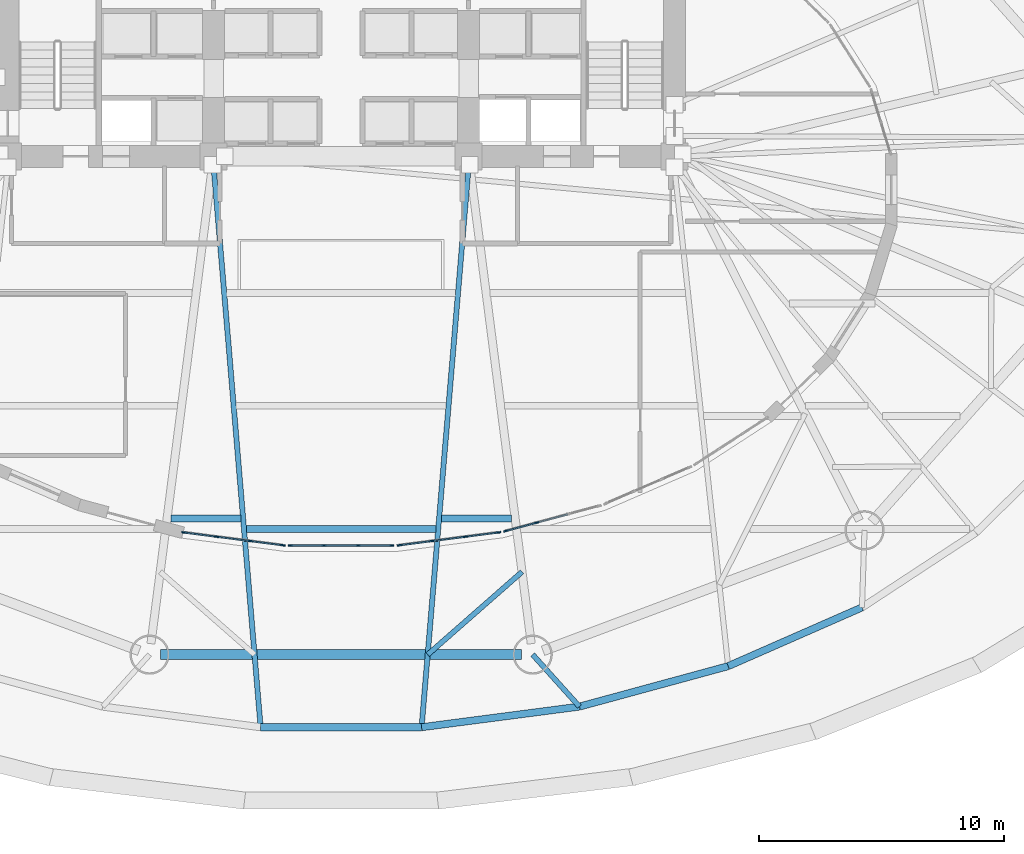
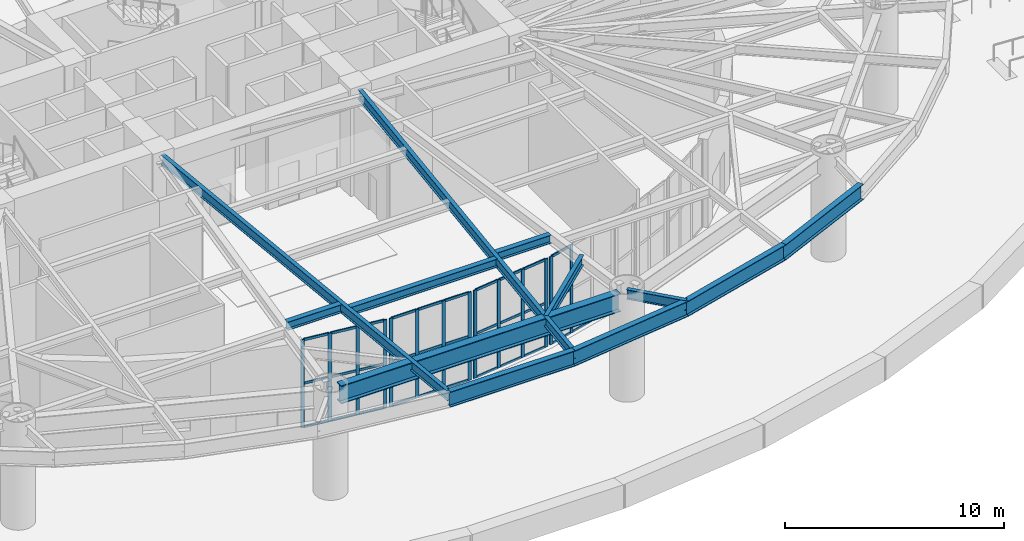
# One storey, part 4 of 21: 45 members, 12 beams, 4 elements without a shape of their own.
"""IFC4 building model written with IfcOpenShell, lengths in metres."""

from ifc_helpers import new_model, si_unit, direction, frame, origin, origin_2d, place, context, subcontext, project, spatial, rectangle, i_section, extrude, material, layer, layer_set, material_profile, profile_set, type_object, element, aggregate, save


model = new_model("IFC4")

# Units and contexts
model_context = context("Model", 3, precision=1e-05, world=origin(), true_north=direction((0.0, 1.0)))
body_context = subcontext(model_context, "Body", "Model", "MODEL_VIEW")
ifc_project = project(units=[si_unit("LENGTHUNIT", "METRE"), si_unit("AREAUNIT", "SQUARE_METRE"), si_unit("VOLUMEUNIT", "CUBIC_METRE"), si_unit("PLANEANGLEUNIT", "RADIAN"), si_unit("MASSUNIT", "GRAM", prefix="KILO")], contexts=[model_context])

# Site, building, storey
site_placement = place(None, origin())
site = spatial("IfcSite", under=ifc_project, at=site_placement, CompositionType="ELEMENT")
building_placement = place(site_placement, origin())
building = spatial("IfcBuilding", under=site, at=building_placement, Name="Keldmark Tower", CompositionType="ELEMENT")
storey_placement = place(building_placement, origin())
storey = spatial("IfcBuildingStorey", under=building, at=storey_placement, Name="L00", CompositionType="ELEMENT", Elevation=0.0)

# Beams
ifc_material_1 = material(Name="Steel ASTM A992 Grade 50", Category="steel")
ifc_material_profile_1 = material_profile(ifc_material_1, i_section(OverallWidth=0.280029296875, OverallDepth=0.462890625, WebThickness=0.0107421875, FlangeThickness=0.017333984375, at=origin_2d()), Name="W18X76")
ifc_profile_set_1 = profile_set([ifc_material_profile_1], Name="Steel ASTM A992 Grade 50")
beam_type_1 = type_object("IfcBeamType", Name="Composite Floor Joist W18X76", PredefinedType="JOIST", material=ifc_profile_set_1)
beam_1_placement = place(storey_placement, frame((-6.946044921875, -13.3798828125, 5.548583984375), z_axis=(1.0, 0.0, 0.0), x_axis=(0.0, 1.0, 0.0)))
element("IfcBeam", 1, at=beam_1_placement, inside=storey, type_object=beam_type_1, Name="L00 Composite Floor Joist J03", PredefinedType="JOIST", context=body_context, shape_type="SweptSolid", body=[
    extrude(i_section(OverallWidth=0.280029296875, OverallDepth=0.462890625, WebThickness=0.0107421875, FlangeThickness=0.017333984375, at=origin_2d()), origin(), (0.0, 0.0, 1.0), 2.851806640625),
])
beam_2_placement = place(storey_placement, frame((-3.8662109375, -13.800048828125, 5.548583984375), z_axis=(1.0, 0.0, 0.0), x_axis=(0.0, 1.0, 0.0)))
element("IfcBeam", 2, at=beam_2_placement, inside=storey, type_object=beam_type_1, Name="L00 Composite Floor Joist J04", PredefinedType="JOIST", context=body_context, shape_type="SweptSolid", body=[
    extrude(i_section(OverallWidth=0.280029296875, OverallDepth=0.462890625, WebThickness=0.0107421875, FlangeThickness=0.017333984375, at=origin_2d()), origin(), (0.0, 0.0, 1.0), 7.732421875),
])
beam_3_placement = place(storey_placement, frame((4.09423828125, -13.3798828125, 5.548583984375), z_axis=(1.0, 0.0, 0.0), x_axis=(0.0, 1.0, 0.0)))
element("IfcBeam", 3, at=beam_3_placement, inside=storey, type_object=beam_type_1, Name="L00 Composite Floor Joist J05", PredefinedType="JOIST", context=body_context, shape_type="SweptSolid", body=[
    extrude(i_section(OverallWidth=0.280029296875, OverallDepth=0.462890625, WebThickness=0.0107421875, FlangeThickness=0.017333984375, at=origin_2d()), origin(), (0.0, 0.0, 1.0), 2.851806640625),
])

# Curtain wall, members
ifc_material_2 = material(Name="Unitized Thermally Broken Aluminum and Triple Low-E Glazing", Category="aluminium")
ifc_layer = layer(ifc_material_2, 0.219970703125)
ifc_layer_set = layer_set([ifc_layer], Name="Unitized Thermally Broken Aluminum and Triple Low-E Glazing")
curtain_wall_type = type_object("IfcCurtainWallType", Name="Podium Wintergarden Curtain Wall System", PredefinedType="NOTDEFINED", material=ifc_layer_set)
curtain_wall_1_placement = place(storey_placement, origin())
curtain_wall_1 = element("IfcCurtainWall", 4, at=curtain_wall_1_placement, inside=storey, type_object=curtain_wall_type, Name="L00 Podium Wintergarden Curtain Wall System CW-L00-23", PredefinedType="NOTDEFINED")
ifc_material_3 = material(Name="Extruded Aluminum Alloy 6063-T6", Category="aluminium")
ifc_material_profile_2 = material_profile(ifc_material_3, rectangle(XDim=0.06005859375, YDim=0.139892578125, at=origin_2d()), Name="CWT60X140")
ifc_profile_set_2 = profile_set([ifc_material_profile_2], Name="Extruded Aluminum Alloy 6063-T6")
member_type_1 = type_object("IfcMemberType", Name="Curtain Wall Horizontal Transom 60x140", PredefinedType="USERDEFINED", material=ifc_profile_set_2)
member_1_placement = place(storey_placement, frame((-6.389404296875, -13.9501953125, 0.030029296875), z_axis=(0.991756931382, -0.128133481402, 0.0), x_axis=(0.128133481402, 0.991756931382, 0.0)))
member_1 = element("IfcMember", 5, at=member_1_placement, type_object=member_type_1, Name="CW transom 1.1", ObjectType="TRANSOM", PredefinedType="USERDEFINED", context=body_context, shape_type="SweptSolid", body=[
    extrude(rectangle(XDim=0.06005859375, YDim=0.139892578125, at=origin_2d()), origin(), (0.0, 0.0, 1.0), 1.2900390625),
])
member_2_placement = place(storey_placement, frame((-6.389404296875, -13.9501953125, 2.45458984375), z_axis=(0.991756931382, -0.128133481402, 0.0), x_axis=(0.128133481402, 0.991756931382, 0.0)))
member_2 = element("IfcMember", 6, at=member_2_placement, type_object=member_type_1, Name="CW transom 1.2", ObjectType="TRANSOM", PredefinedType="USERDEFINED", context=body_context, shape_type="SweptSolid", body=[
    extrude(rectangle(XDim=0.06005859375, YDim=0.139892578125, at=origin_2d()), origin(), (0.0, 0.0, 1.0), 1.2900390625),
])
member_3_placement = place(storey_placement, frame((-6.389404296875, -13.9501953125, 4.87890625), z_axis=(0.991756931382, -0.128133481402, 0.0), x_axis=(0.128133481402, 0.991756931382, 0.0)))
member_3 = element("IfcMember", 7, at=member_3_placement, type_object=member_type_1, Name="CW transom 1.3", ObjectType="TRANSOM", PredefinedType="USERDEFINED", context=body_context, shape_type="SweptSolid", body=[
    extrude(rectangle(XDim=0.06005859375, YDim=0.139892578125, at=origin_2d()), origin(), (0.0, 0.0, 1.0), 1.2900390625),
])
member_4_placement = place(storey_placement, frame((-5.050537109375, -14.123291015625, 0.030029296875), z_axis=(0.99177483727, -0.127994813016, 0.0), x_axis=(0.127994813016, 0.99177483727, 0.0)))
member_4 = element("IfcMember", 8, at=member_4_placement, type_object=member_type_1, Name="CW transom 2.1", ObjectType="TRANSOM", PredefinedType="USERDEFINED", context=body_context, shape_type="SweptSolid", body=[
    extrude(rectangle(XDim=0.06005859375, YDim=0.139892578125, at=origin_2d()), origin(), (0.0, 0.0, 1.0), 1.31982421875),
])
member_5_placement = place(storey_placement, frame((-5.050537109375, -14.123291015625, 2.45458984375), z_axis=(0.99177483727, -0.127994813016, 0.0), x_axis=(0.127994813016, 0.99177483727, 0.0)))
member_5 = element("IfcMember", 9, at=member_5_placement, type_object=member_type_1, Name="CW transom 2.2", ObjectType="TRANSOM", PredefinedType="USERDEFINED", context=body_context, shape_type="SweptSolid", body=[
    extrude(rectangle(XDim=0.06005859375, YDim=0.139892578125, at=origin_2d()), origin(), (0.0, 0.0, 1.0), 1.31982421875),
])
member_6_placement = place(storey_placement, frame((-5.050537109375, -14.123291015625, 4.87890625), z_axis=(0.99177483727, -0.127994813016, 0.0), x_axis=(0.127994813016, 0.99177483727, 0.0)))
member_6 = element("IfcMember", 10, at=member_6_placement, type_object=member_type_1, Name="CW transom 2.3", ObjectType="TRANSOM", PredefinedType="USERDEFINED", context=body_context, shape_type="SweptSolid", body=[
    extrude(rectangle(XDim=0.06005859375, YDim=0.139892578125, at=origin_2d()), origin(), (0.0, 0.0, 1.0), 1.31982421875),
])
member_7_placement = place(storey_placement, frame((-3.681884765625, -14.2998046875, 0.030029296875), z_axis=(0.991760037922, -0.128109434397, 0.0), x_axis=(0.128109434397, 0.991760037922, 0.0)))
member_7 = element("IfcMember", 11, at=member_7_placement, type_object=member_type_1, Name="CW transom 3.1", ObjectType="TRANSOM", PredefinedType="USERDEFINED", context=body_context, shape_type="SweptSolid", body=[
    extrude(rectangle(XDim=0.06005859375, YDim=0.139892578125, at=origin_2d()), origin(), (0.0, 0.0, 1.0), 1.290283203125),
])
member_8_placement = place(storey_placement, frame((-3.681884765625, -14.2998046875, 2.45458984375), z_axis=(0.991760037922, -0.128109434397, 0.0), x_axis=(0.128109434397, 0.991760037922, 0.0)))
member_8 = element("IfcMember", 12, at=member_8_placement, type_object=member_type_1, Name="CW transom 3.2", ObjectType="TRANSOM", PredefinedType="USERDEFINED", context=body_context, shape_type="SweptSolid", body=[
    extrude(rectangle(XDim=0.06005859375, YDim=0.139892578125, at=origin_2d()), origin(), (0.0, 0.0, 1.0), 1.290283203125),
])
member_9_placement = place(storey_placement, frame((-3.681884765625, -14.2998046875, 4.87890625), z_axis=(0.991760037922, -0.128109434397, 0.0), x_axis=(0.128109434397, 0.991760037922, 0.0)))
member_9 = element("IfcMember", 13, at=member_9_placement, type_object=member_type_1, Name="CW transom 3.3", ObjectType="TRANSOM", PredefinedType="USERDEFINED", context=body_context, shape_type="SweptSolid", body=[
    extrude(rectangle(XDim=0.06005859375, YDim=0.139892578125, at=origin_2d()), origin(), (0.0, 0.0, 1.0), 1.290283203125),
])

curtain_wall_2_placement = place(storey_placement, origin())
curtain_wall_2 = element("IfcCurtainWall", 14, at=curtain_wall_2_placement, inside=storey, type_object=curtain_wall_type, Name="L00 Podium Wintergarden Curtain Wall System CW-L00-24", PredefinedType="NOTDEFINED")
member_10_placement = place(storey_placement, frame((-2.034912109375, -14.48876953125, 0.030029296875), z_axis=(1.0, 0.0, 0.0), x_axis=(0.0, 1.0, 0.0)))
member_10 = element("IfcMember", 15, at=member_10_placement, type_object=member_type_1, Name="CW transom 1.1", ObjectType="TRANSOM", PredefinedType="USERDEFINED", context=body_context, shape_type="SweptSolid", body=[
    extrude(rectangle(XDim=0.06005859375, YDim=0.139892578125, at=origin_2d()), origin(), (0.0, 0.0, 1.0), 1.306640625),
])
member_11_placement = place(storey_placement, frame((-2.034912109375, -14.48876953125, 2.45458984375), z_axis=(1.0, 0.0, 0.0), x_axis=(0.0, 1.0, 0.0)))
member_11 = element("IfcMember", 16, at=member_11_placement, type_object=member_type_1, Name="CW transom 1.2", ObjectType="TRANSOM", PredefinedType="USERDEFINED", context=body_context, shape_type="SweptSolid", body=[
    extrude(rectangle(XDim=0.06005859375, YDim=0.139892578125, at=origin_2d()), origin(), (0.0, 0.0, 1.0), 1.306640625),
])
member_12_placement = place(storey_placement, frame((-2.034912109375, -14.48876953125, 4.87890625), z_axis=(1.0, 0.0, 0.0), x_axis=(0.0, 1.0, 0.0)))
member_12 = element("IfcMember", 17, at=member_12_placement, type_object=member_type_1, Name="CW transom 1.3", ObjectType="TRANSOM", PredefinedType="USERDEFINED", context=body_context, shape_type="SweptSolid", body=[
    extrude(rectangle(XDim=0.06005859375, YDim=0.139892578125, at=origin_2d()), origin(), (0.0, 0.0, 1.0), 1.306640625),
])
member_13_placement = place(storey_placement, frame((-0.668212890625, -14.48876953125, 0.030029296875), z_axis=(1.0, 0.0, 0.0), x_axis=(0.0, 1.0, 0.0)))
member_13 = element("IfcMember", 18, at=member_13_placement, type_object=member_type_1, Name="CW transom 2.1", ObjectType="TRANSOM", PredefinedType="USERDEFINED", context=body_context, shape_type="SweptSolid", body=[
    extrude(rectangle(XDim=0.06005859375, YDim=0.139892578125, at=origin_2d()), origin(), (0.0, 0.0, 1.0), 1.33642578125),
])
member_14_placement = place(storey_placement, frame((-0.668212890625, -14.48876953125, 2.45458984375), z_axis=(1.0, 0.0, 0.0), x_axis=(0.0, 1.0, 0.0)))
member_14 = element("IfcMember", 19, at=member_14_placement, type_object=member_type_1, Name="CW transom 2.2", ObjectType="TRANSOM", PredefinedType="USERDEFINED", context=body_context, shape_type="SweptSolid", body=[
    extrude(rectangle(XDim=0.06005859375, YDim=0.139892578125, at=origin_2d()), origin(), (0.0, 0.0, 1.0), 1.33642578125),
])
member_15_placement = place(storey_placement, frame((-0.668212890625, -14.48876953125, 4.87890625), z_axis=(1.0, 0.0, 0.0), x_axis=(0.0, 1.0, 0.0)))
member_15 = element("IfcMember", 20, at=member_15_placement, type_object=member_type_1, Name="CW transom 2.3", ObjectType="TRANSOM", PredefinedType="USERDEFINED", context=body_context, shape_type="SweptSolid", body=[
    extrude(rectangle(XDim=0.06005859375, YDim=0.139892578125, at=origin_2d()), origin(), (0.0, 0.0, 1.0), 1.33642578125),
])
member_16_placement = place(storey_placement, frame((0.728271484375, -14.48876953125, 0.030029296875), z_axis=(1.0, 0.0, 0.0), x_axis=(0.0, 1.0, 0.0)))
member_16 = element("IfcMember", 21, at=member_16_placement, type_object=member_type_1, Name="CW transom 3.1", ObjectType="TRANSOM", PredefinedType="USERDEFINED", context=body_context, shape_type="SweptSolid", body=[
    extrude(rectangle(XDim=0.06005859375, YDim=0.139892578125, at=origin_2d()), origin(), (0.0, 0.0, 1.0), 1.306640625),
])
member_17_placement = place(storey_placement, frame((0.728271484375, -14.48876953125, 2.45458984375), z_axis=(1.0, 0.0, 0.0), x_axis=(0.0, 1.0, 0.0)))
member_17 = element("IfcMember", 22, at=member_17_placement, type_object=member_type_1, Name="CW transom 3.2", ObjectType="TRANSOM", PredefinedType="USERDEFINED", context=body_context, shape_type="SweptSolid", body=[
    extrude(rectangle(XDim=0.06005859375, YDim=0.139892578125, at=origin_2d()), origin(), (0.0, 0.0, 1.0), 1.306640625),
])
member_18_placement = place(storey_placement, frame((0.728271484375, -14.48876953125, 4.87890625), z_axis=(1.0, 0.0, 0.0), x_axis=(0.0, 1.0, 0.0)))
member_18 = element("IfcMember", 23, at=member_18_placement, type_object=member_type_1, Name="CW transom 3.3", ObjectType="TRANSOM", PredefinedType="USERDEFINED", context=body_context, shape_type="SweptSolid", body=[
    extrude(rectangle(XDim=0.06005859375, YDim=0.139892578125, at=origin_2d()), origin(), (0.0, 0.0, 1.0), 1.306640625),
])

curtain_wall_3_placement = place(storey_placement, origin())
curtain_wall_3 = element("IfcCurtainWall", 24, at=curtain_wall_3_placement, inside=storey, type_object=curtain_wall_type, Name="L00 Podium Wintergarden Curtain Wall System CW-L00-25", PredefinedType="NOTDEFINED")
member_19_placement = place(storey_placement, frame((2.40234375, -14.465087890625, 0.030029296875), z_axis=(0.991760037922, 0.128109434397, 0.0), x_axis=(-0.128109434397, 0.991760037922, 0.0)))
member_19 = element("IfcMember", 25, at=member_19_placement, type_object=member_type_1, Name="CW transom 1.1", ObjectType="TRANSOM", PredefinedType="USERDEFINED", context=body_context, shape_type="SweptSolid", body=[
    extrude(rectangle(XDim=0.06005859375, YDim=0.139892578125, at=origin_2d()), origin(), (0.0, 0.0, 1.0), 1.290283203125),
])
member_20_placement = place(storey_placement, frame((2.40234375, -14.465087890625, 2.45458984375), z_axis=(0.991760037922, 0.128109434397, 0.0), x_axis=(-0.128109434397, 0.991760037922, 0.0)))
member_20 = element("IfcMember", 26, at=member_20_placement, type_object=member_type_1, Name="CW transom 1.2", ObjectType="TRANSOM", PredefinedType="USERDEFINED", context=body_context, shape_type="SweptSolid", body=[
    extrude(rectangle(XDim=0.06005859375, YDim=0.139892578125, at=origin_2d()), origin(), (0.0, 0.0, 1.0), 1.290283203125),
])
member_21_placement = place(storey_placement, frame((2.40234375, -14.465087890625, 4.87890625), z_axis=(0.991760037922, 0.128109434397, 0.0), x_axis=(-0.128109434397, 0.991760037922, 0.0)))
member_21 = element("IfcMember", 27, at=member_21_placement, type_object=member_type_1, Name="CW transom 1.3", ObjectType="TRANSOM", PredefinedType="USERDEFINED", context=body_context, shape_type="SweptSolid", body=[
    extrude(rectangle(XDim=0.06005859375, YDim=0.139892578125, at=origin_2d()), origin(), (0.0, 0.0, 1.0), 1.290283203125),
])
member_22_placement = place(storey_placement, frame((3.741455078125, -14.292236328125, 0.030029296875), z_axis=(0.99177483727, 0.127994813016, 0.0), x_axis=(-0.127994813016, 0.99177483727, 0.0)))
member_22 = element("IfcMember", 28, at=member_22_placement, type_object=member_type_1, Name="CW transom 2.1", ObjectType="TRANSOM", PredefinedType="USERDEFINED", context=body_context, shape_type="SweptSolid", body=[
    extrude(rectangle(XDim=0.06005859375, YDim=0.139892578125, at=origin_2d()), origin(), (0.0, 0.0, 1.0), 1.31982421875),
])
member_23_placement = place(storey_placement, frame((3.741455078125, -14.292236328125, 2.45458984375), z_axis=(0.99177483727, 0.127994813016, 0.0), x_axis=(-0.127994813016, 0.99177483727, 0.0)))
member_23 = element("IfcMember", 29, at=member_23_placement, type_object=member_type_1, Name="CW transom 2.2", ObjectType="TRANSOM", PredefinedType="USERDEFINED", context=body_context, shape_type="SweptSolid", body=[
    extrude(rectangle(XDim=0.06005859375, YDim=0.139892578125, at=origin_2d()), origin(), (0.0, 0.0, 1.0), 1.31982421875),
])
member_24_placement = place(storey_placement, frame((3.741455078125, -14.292236328125, 4.87890625), z_axis=(0.99177483727, 0.127994813016, 0.0), x_axis=(-0.127994813016, 0.99177483727, 0.0)))
member_24 = element("IfcMember", 30, at=member_24_placement, type_object=member_type_1, Name="CW transom 2.3", ObjectType="TRANSOM", PredefinedType="USERDEFINED", context=body_context, shape_type="SweptSolid", body=[
    extrude(rectangle(XDim=0.06005859375, YDim=0.139892578125, at=origin_2d()), origin(), (0.0, 0.0, 1.0), 1.31982421875),
])
member_25_placement = place(storey_placement, frame((5.110107421875, -14.115478515625, 0.030029296875), z_axis=(0.991756931382, 0.128133481402, 0.0), x_axis=(-0.128133481402, 0.991756931382, 0.0)))
member_25 = element("IfcMember", 31, at=member_25_placement, type_object=member_type_1, Name="CW transom 3.1", ObjectType="TRANSOM", PredefinedType="USERDEFINED", context=body_context, shape_type="SweptSolid", body=[
    extrude(rectangle(XDim=0.06005859375, YDim=0.139892578125, at=origin_2d()), origin(), (0.0, 0.0, 1.0), 1.2900390625),
])
member_26_placement = place(storey_placement, frame((5.110107421875, -14.115478515625, 2.45458984375), z_axis=(0.991756931382, 0.128133481402, 0.0), x_axis=(-0.128133481402, 0.991756931382, 0.0)))
member_26 = element("IfcMember", 32, at=member_26_placement, type_object=member_type_1, Name="CW transom 3.2", ObjectType="TRANSOM", PredefinedType="USERDEFINED", context=body_context, shape_type="SweptSolid", body=[
    extrude(rectangle(XDim=0.06005859375, YDim=0.139892578125, at=origin_2d()), origin(), (0.0, 0.0, 1.0), 1.2900390625),
])
member_27_placement = place(storey_placement, frame((5.110107421875, -14.115478515625, 4.87890625), z_axis=(0.991756931382, 0.128133481402, 0.0), x_axis=(-0.128133481402, 0.991756931382, 0.0)))
member_27 = element("IfcMember", 33, at=member_27_placement, type_object=member_type_1, Name="CW transom 3.3", ObjectType="TRANSOM", PredefinedType="USERDEFINED", context=body_context, shape_type="SweptSolid", body=[
    extrude(rectangle(XDim=0.06005859375, YDim=0.139892578125, at=origin_2d()), origin(), (0.0, 0.0, 1.0), 1.2900390625),
])

curtain_wall_4_placement = place(storey_placement, origin())
curtain_wall_4 = element("IfcCurtainWall", 34, at=curtain_wall_4_placement, inside=storey, type_object=curtain_wall_type, Name="L00 Podium Wintergarden Curtain Wall System CW-L00-26", PredefinedType="NOTDEFINED")
member_28_placement = place(storey_placement, frame((6.749267578125, -13.87890625, 0.030029296875), z_axis=(0.965701108512, 0.259656251647, 0.0), x_axis=(-0.259656251647, 0.965701108512, 0.0)))
member_28 = element("IfcMember", 35, at=member_28_placement, type_object=member_type_1, Name="CW transom 1.1", ObjectType="TRANSOM", PredefinedType="USERDEFINED", context=body_context, shape_type="SweptSolid", body=[
    extrude(rectangle(XDim=0.06005859375, YDim=0.139892578125, at=origin_2d()), origin(), (0.0, 0.0, 1.0), 1.241943359375),
])
member_29_placement = place(storey_placement, frame((6.749267578125, -13.87890625, 2.45458984375), z_axis=(0.965701108512, 0.259656251647, 0.0), x_axis=(-0.259656251647, 0.965701108512, 0.0)))
member_29 = element("IfcMember", 36, at=member_29_placement, type_object=member_type_1, Name="CW transom 1.2", ObjectType="TRANSOM", PredefinedType="USERDEFINED", context=body_context, shape_type="SweptSolid", body=[
    extrude(rectangle(XDim=0.06005859375, YDim=0.139892578125, at=origin_2d()), origin(), (0.0, 0.0, 1.0), 1.241943359375),
])
member_30_placement = place(storey_placement, frame((6.749267578125, -13.87890625, 4.87890625), z_axis=(0.965701108512, 0.259656251647, 0.0), x_axis=(-0.259656251647, 0.965701108512, 0.0)))
member_30 = element("IfcMember", 37, at=member_30_placement, type_object=member_type_1, Name="CW transom 1.3", ObjectType="TRANSOM", PredefinedType="USERDEFINED", context=body_context, shape_type="SweptSolid", body=[
    extrude(rectangle(XDim=0.06005859375, YDim=0.139892578125, at=origin_2d()), origin(), (0.0, 0.0, 1.0), 1.241943359375),
])
member_31_placement = place(storey_placement, frame((8.006591796875, -13.540771484375, 0.030029296875), z_axis=(0.965749049902, 0.259477884632, 0.0), x_axis=(-0.259477884632, 0.965749049902, 0.0)))
member_31 = element("IfcMember", 38, at=member_31_placement, type_object=member_type_1, Name="CW transom 2.1", ObjectType="TRANSOM", PredefinedType="USERDEFINED", context=body_context, shape_type="SweptSolid", body=[
    extrude(rectangle(XDim=0.06005859375, YDim=0.139892578125, at=origin_2d()), origin(), (0.0, 0.0, 1.0), 1.27197265625),
])

# Member
ifc_material_4 = material(Name="Extruded Aluminum Alloy 6063-T6", Category="aluminium")
ifc_material_profile_3 = material_profile(ifc_material_4, rectangle(XDim=0.06005859375, YDim=0.179931640625, at=origin_2d()), Name="CWM60X180")
ifc_profile_set_3 = profile_set([ifc_material_profile_3], Name="Extruded Aluminum Alloy 6063-T6")
member_type_2 = type_object("IfcMemberType", Name="Curtain Wall Structural Mullion 60x180", PredefinedType="MULLION", material=ifc_profile_set_3)
member_32_placement = place(storey_placement, frame((-6.419189453125, -13.946533203125, 0.0), z_axis=(0.0, 0.0, 1.0), x_axis=(0.128061770519, 0.991766193683, 0.0)))
member_32 = element("IfcMember", 39, at=member_32_placement, type_object=member_type_2, Name="CW mullion 1", PredefinedType="MULLION", context=body_context, shape_type="SweptSolid", body=[
    extrude(rectangle(XDim=0.06005859375, YDim=0.179931640625, at=origin_2d()), origin(), (0.0, 0.0, 1.0), 4.908935546875),
])

member_33_placement = place(storey_placement, frame((-5.080322265625, -14.119384765625, 0.0), z_axis=(0.0, 0.0, 1.0), x_axis=(0.128061770519, 0.991766193683, 0.0)))
member_33 = element("IfcMember", 40, at=member_33_placement, type_object=member_type_2, Name="CW mullion 2", PredefinedType="MULLION", context=body_context, shape_type="SweptSolid", body=[
    extrude(rectangle(XDim=0.06005859375, YDim=0.179931640625, at=origin_2d()), origin(), (0.0, 0.0, 1.0), 4.908935546875),
])

member_34_placement = place(storey_placement, frame((-3.711669921875, -14.296142578125, 0.0), z_axis=(0.0, 0.0, 1.0), x_axis=(0.128061770519, 0.991766193683, 0.0)))
member_34 = element("IfcMember", 41, at=member_34_placement, type_object=member_type_2, Name="CW mullion 3", PredefinedType="MULLION", context=body_context, shape_type="SweptSolid", body=[
    extrude(rectangle(XDim=0.06005859375, YDim=0.179931640625, at=origin_2d()), origin(), (0.0, 0.0, 1.0), 4.908935546875),
])

member_35_placement = place(storey_placement, frame((-2.37255859375, -14.468994140625, 0.0), z_axis=(0.0, 0.0, 1.0), x_axis=(0.128061770519, 0.991766193683, 0.0)))
member_35 = element("IfcMember", 42, at=member_35_placement, type_object=member_type_2, Name="CW mullion 4", PredefinedType="MULLION", context=body_context, shape_type="SweptSolid", body=[
    extrude(rectangle(XDim=0.06005859375, YDim=0.179931640625, at=origin_2d()), origin(), (0.0, 0.0, 1.0), 4.908935546875),
])

aggregate(curtain_wall_1, [member_32, member_33, member_34, member_35, member_1, member_2, member_3, member_4, member_5, member_6, member_7, member_8, member_9])

member_36_placement = place(storey_placement, frame((-2.064697265625, -14.48876953125, 0.0), z_axis=(0.0, 0.0, 1.0), x_axis=(0.0, 1.0, 0.0)))
member_36 = element("IfcMember", 43, at=member_36_placement, type_object=member_type_2, Name="CW mullion 1", PredefinedType="MULLION", context=body_context, shape_type="SweptSolid", body=[
    extrude(rectangle(XDim=0.06005859375, YDim=0.179931640625, at=origin_2d()), origin(), (0.0, 0.0, 1.0), 4.908935546875),
])

member_37_placement = place(storey_placement, frame((-0.6982421875, -14.48876953125, 0.0), z_axis=(0.0, 0.0, 1.0), x_axis=(0.0, 1.0, 0.0)))
member_37 = element("IfcMember", 44, at=member_37_placement, type_object=member_type_2, Name="CW mullion 2", PredefinedType="MULLION", context=body_context, shape_type="SweptSolid", body=[
    extrude(rectangle(XDim=0.06005859375, YDim=0.179931640625, at=origin_2d()), origin(), (0.0, 0.0, 1.0), 4.908935546875),
])

member_38_placement = place(storey_placement, frame((0.6982421875, -14.48876953125, 0.0), z_axis=(0.0, 0.0, 1.0), x_axis=(0.0, 1.0, 0.0)))
member_38 = element("IfcMember", 45, at=member_38_placement, type_object=member_type_2, Name="CW mullion 3", PredefinedType="MULLION", context=body_context, shape_type="SweptSolid", body=[
    extrude(rectangle(XDim=0.06005859375, YDim=0.179931640625, at=origin_2d()), origin(), (0.0, 0.0, 1.0), 4.908935546875),
])

member_39_placement = place(storey_placement, frame((2.064697265625, -14.48876953125, 0.0), z_axis=(0.0, 0.0, 1.0), x_axis=(0.0, 1.0, 0.0)))
member_39 = element("IfcMember", 46, at=member_39_placement, type_object=member_type_2, Name="CW mullion 4", PredefinedType="MULLION", context=body_context, shape_type="SweptSolid", body=[
    extrude(rectangle(XDim=0.06005859375, YDim=0.179931640625, at=origin_2d()), origin(), (0.0, 0.0, 1.0), 4.908935546875),
])

aggregate(curtain_wall_2, [member_36, member_37, member_38, member_39, member_10, member_11, member_12, member_13, member_14, member_15, member_16, member_17, member_18])

member_40_placement = place(storey_placement, frame((2.37255859375, -14.468994140625, 0.0), z_axis=(0.0, 0.0, 1.0), x_axis=(-0.128061770519, 0.991766193683, 0.0)))
member_40 = element("IfcMember", 47, at=member_40_placement, type_object=member_type_2, Name="CW mullion 1", PredefinedType="MULLION", context=body_context, shape_type="SweptSolid", body=[
    extrude(rectangle(XDim=0.06005859375, YDim=0.179931640625, at=origin_2d()), origin(), (0.0, 0.0, 1.0), 4.908935546875),
])

member_41_placement = place(storey_placement, frame((3.711669921875, -14.296142578125, 0.0), z_axis=(0.0, 0.0, 1.0), x_axis=(-0.128061770519, 0.991766193683, 0.0)))
member_41 = element("IfcMember", 48, at=member_41_placement, type_object=member_type_2, Name="CW mullion 2", PredefinedType="MULLION", context=body_context, shape_type="SweptSolid", body=[
    extrude(rectangle(XDim=0.06005859375, YDim=0.179931640625, at=origin_2d()), origin(), (0.0, 0.0, 1.0), 4.908935546875),
])

member_42_placement = place(storey_placement, frame((5.080322265625, -14.119384765625, 0.0), z_axis=(0.0, 0.0, 1.0), x_axis=(-0.128061770519, 0.991766193683, 0.0)))
member_42 = element("IfcMember", 49, at=member_42_placement, type_object=member_type_2, Name="CW mullion 3", PredefinedType="MULLION", context=body_context, shape_type="SweptSolid", body=[
    extrude(rectangle(XDim=0.06005859375, YDim=0.179931640625, at=origin_2d()), origin(), (0.0, 0.0, 1.0), 4.908935546875),
])

member_43_placement = place(storey_placement, frame((6.419189453125, -13.946533203125, 0.0), z_axis=(0.0, 0.0, 1.0), x_axis=(-0.128061770519, 0.991766193683, 0.0)))
member_43 = element("IfcMember", 50, at=member_43_placement, type_object=member_type_2, Name="CW mullion 4", PredefinedType="MULLION", context=body_context, shape_type="SweptSolid", body=[
    extrude(rectangle(XDim=0.06005859375, YDim=0.179931640625, at=origin_2d()), origin(), (0.0, 0.0, 1.0), 4.908935546875),
])

aggregate(curtain_wall_3, [member_40, member_41, member_42, member_43, member_19, member_20, member_21, member_22, member_23, member_24, member_25, member_26, member_27])

member_44_placement = place(storey_placement, frame((6.720458984375, -13.88671875, 0.0), z_axis=(0.0, 0.0, 1.0), x_axis=(-0.259638704032, 0.965705826517, 0.0)))
member_44 = element("IfcMember", 51, at=member_44_placement, type_object=member_type_2, Name="CW mullion 1", PredefinedType="MULLION", context=body_context, shape_type="SweptSolid", body=[
    extrude(rectangle(XDim=0.06005859375, YDim=0.179931640625, at=origin_2d()), origin(), (0.0, 0.0, 1.0), 4.908935546875),
])

member_45_placement = place(storey_placement, frame((7.977783203125, -13.548583984375, 0.0), z_axis=(0.0, 0.0, 1.0), x_axis=(-0.259638704032, 0.965705826517, 0.0)))
member_45 = element("IfcMember", 52, at=member_45_placement, type_object=member_type_2, Name="CW mullion 2", PredefinedType="MULLION", context=body_context, shape_type="SweptSolid", body=[
    extrude(rectangle(XDim=0.06005859375, YDim=0.179931640625, at=origin_2d()), origin(), (0.0, 0.0, 1.0), 4.908935546875),
])

aggregate(curtain_wall_4, [member_44, member_45, member_28, member_29, member_30, member_31])

# Beams
ifc_material_5 = material(Name="Steel ASTM A992 Grade 50", Category="steel")
ifc_material_profile_4 = material_profile(ifc_material_5, i_section(OverallWidth=0.402099609375, OverallDepth=1.011962890625, WebThickness=0.023681640625, FlangeThickness=0.0419921875, at=origin_2d()), Name="W40X297")
ifc_profile_set_4 = profile_set([ifc_material_profile_4], Name="Steel ASTM A992 Grade 50")
beam_type_2 = type_object("IfcBeamType", Name="Podium Primary Girder W40X297", PredefinedType="BEAM", material=ifc_profile_set_4)
beam_4_placement = place(storey_placement, frame((-7.3662109375, -18.93212890625, 5.27392578125), z_axis=(1.0, 0.0, 0.0), x_axis=(0.0, 1.0, 0.0)))
element("IfcBeam", 53, at=beam_4_placement, inside=storey, type_object=beam_type_2, Name="L00 Podium Ring Girder PG-R09", PredefinedType="BEAM", context=body_context, shape_type="SweptSolid", body=[
    extrude(i_section(OverallWidth=0.402099609375, OverallDepth=1.011962890625, WebThickness=0.023681640625, FlangeThickness=0.0419921875, at=origin_2d()), origin(), (0.0, 0.0, 1.0), 14.732421875),
])
ifc_material_6 = material(Name="Steel ASTM A992 Grade 50", Category="steel")
ifc_material_profile_5 = material_profile(ifc_material_6, i_section(OverallWidth=0.2099609375, OverallDepth=0.537109375, WebThickness=0.010986328125, FlangeThickness=0.017333984375, at=origin_2d()), Name="W21X68")
ifc_profile_set_5 = profile_set([ifc_material_profile_5], Name="Steel ASTM A992 Grade 50")
beam_type_3 = type_object("IfcBeamType", Name="Radial Tie Girder W21X68", PredefinedType="BEAM", material=ifc_profile_set_5)
beam_5_placement = place(storey_placement, frame((-5.199951171875, 0.949951171875, 5.511474609375), z_axis=(0.083591035889, -0.996500144867, 0.0), x_axis=(0.996500144867, 0.083591035889, 0.0)))
element("IfcBeam", 54, at=beam_5_placement, inside=storey, type_object=beam_type_3, Name="L00 Perimeter Radial Tie Girder RT-24", PredefinedType="BEAM", context=body_context, shape_type="SweptSolid", body=[
    extrude(i_section(OverallWidth=0.2099609375, OverallDepth=0.537109375, WebThickness=0.010986328125, FlangeThickness=0.017333984375, at=origin_2d()), origin(), (0.0, 0.0, 1.0), 22.92431640625),
])
beam_6_placement = place(storey_placement, frame((7.3818359375, -15.554931640625, 5.511474609375), z_axis=(-0.751746259669, -0.659452470671, 0.0), x_axis=(0.659452470671, -0.751746259669, 0.0)))
element("IfcBeam", 55, at=beam_6_placement, inside=storey, type_object=beam_type_3, Name="L00 Framing Pin Header PH-020", PredefinedType="BEAM", context=body_context, shape_type="SweptSolid", body=[
    extrude(i_section(OverallWidth=0.2099609375, OverallDepth=0.537109375, WebThickness=0.010986328125, FlangeThickness=0.017333984375, at=origin_2d()), origin(), (0.0, 0.0, 1.0), 5.12109375),
])
beam_7_placement = place(storey_placement, frame((5.199951171875, 0.949951171875, 5.511474609375), z_axis=(-0.083591035889, -0.996500144867, 0.0), x_axis=(0.996500144867, -0.083591035889, 0.0)))
element("IfcBeam", 56, at=beam_7_placement, inside=storey, type_object=beam_type_3, Name="L00 Perimeter Radial Tie Girder RT-25", PredefinedType="BEAM", context=body_context, shape_type="SweptSolid", body=[
    extrude(i_section(OverallWidth=0.2099609375, OverallDepth=0.537109375, WebThickness=0.010986328125, FlangeThickness=0.017333984375, at=origin_2d()), origin(), (0.0, 0.0, 1.0), 22.92431640625),
])
beam_8_placement = place(storey_placement, frame((7.81640625, -18.93212890625, 5.511474609375), z_axis=(0.668898533975, -0.743353718795, 0.0), x_axis=(0.743353718795, 0.668898533975, 0.0)))
element("IfcBeam", 57, at=beam_8_placement, inside=storey, type_object=beam_type_3, Name="L00 Perimeter Column Bracket RT-26", PredefinedType="BEAM", context=body_context, shape_type="SweptSolid", body=[
    extrude(i_section(OverallWidth=0.2099609375, OverallDepth=0.537109375, WebThickness=0.010986328125, FlangeThickness=0.017333984375, at=origin_2d()), origin(), (0.0, 0.0, 1.0), 2.852783203125),
])
ifc_material_7 = material(Name="Steel ASTM A992 Grade 50", Category="steel")
ifc_material_profile_6 = material_profile(ifc_material_7, i_section(OverallWidth=0.2919921875, OverallDepth=0.85888671875, WebThickness=0.01708984375, FlangeThickness=0.031005859375, at=origin_2d()), Name="W33X169")
ifc_profile_set_6 = profile_set([ifc_material_profile_6], Name="Steel ASTM A992 Grade 50")
beam_type_4 = type_object("IfcBeamType", Name="Spandrel Ring Beam W33X169", PredefinedType="SPANDREL", material=ifc_profile_set_6)
beam_9_placement = place(storey_placement, frame((-3.28369140625, -21.89404296875, 5.3505859375), z_axis=(1.0, 0.0, 0.0), x_axis=(0.0, 1.0, 0.0)))
element("IfcBeam", 58, at=beam_9_placement, inside=storey, type_object=beam_type_4, Name="L00 Perimeter Spandrel Ring Beam SRB-24", PredefinedType="SPANDREL", context=body_context, shape_type="SweptSolid", body=[
    extrude(i_section(OverallWidth=0.2919921875, OverallDepth=0.85888671875, WebThickness=0.01708984375, FlangeThickness=0.031005859375, at=origin_2d()), origin(), (0.0, 0.0, 1.0), 6.5673828125),
])
beam_10_placement = place(storey_placement, frame((3.28369140625, -21.89404296875, 5.3505859375), z_axis=(0.991576921472, 0.129519144545, 0.0), x_axis=(-0.129519144545, 0.991576921472, 0.0)))
element("IfcBeam", 59, at=beam_10_placement, inside=storey, type_object=beam_type_4, Name="L00 Perimeter Spandrel Ring Beam SRB-25", PredefinedType="SPANDREL", context=body_context, shape_type="SweptSolid", body=[
    extrude(i_section(OverallWidth=0.2919921875, OverallDepth=0.85888671875, WebThickness=0.01708984375, FlangeThickness=0.031005859375, at=origin_2d()), origin(), (0.0, 0.0, 1.0), 6.49560546875),
])
beam_11_placement = place(storey_placement, frame((9.724609375, -21.052734375, 5.3505859375), z_axis=(0.964936550718, 0.262483243445, 0.0), x_axis=(-0.262483243445, 0.964936550718, 0.0)))
element("IfcBeam", 60, at=beam_11_placement, inside=storey, type_object=beam_type_4, Name="L00 Perimeter Spandrel Ring Beam SRB-26", PredefinedType="SPANDREL", context=body_context, shape_type="SweptSolid", body=[
    extrude(i_section(OverallWidth=0.2919921875, OverallDepth=0.85888671875, WebThickness=0.01708984375, FlangeThickness=0.031005859375, at=origin_2d()), origin(), (0.0, 0.0, 1.0), 6.28759765625),
])
beam_12_placement = place(storey_placement, frame((15.791748046875, -19.40234375, 5.3505859375), z_axis=(0.91570760638, 0.401845218484, 0.0), x_axis=(-0.401845218484, 0.91570760638, 0.0)))
element("IfcBeam", 61, at=beam_12_placement, inside=storey, type_object=beam_type_4, Name="L00 Perimeter Spandrel Ring Beam SRB-27", PredefinedType="SPANDREL", context=body_context, shape_type="SweptSolid", body=[
    extrude(i_section(OverallWidth=0.2919921875, OverallDepth=0.85888671875, WebThickness=0.01708984375, FlangeThickness=0.031005859375, at=origin_2d()), origin(), (0.0, 0.0, 1.0), 5.963134765625),
])

save(model, "model.ifc")
